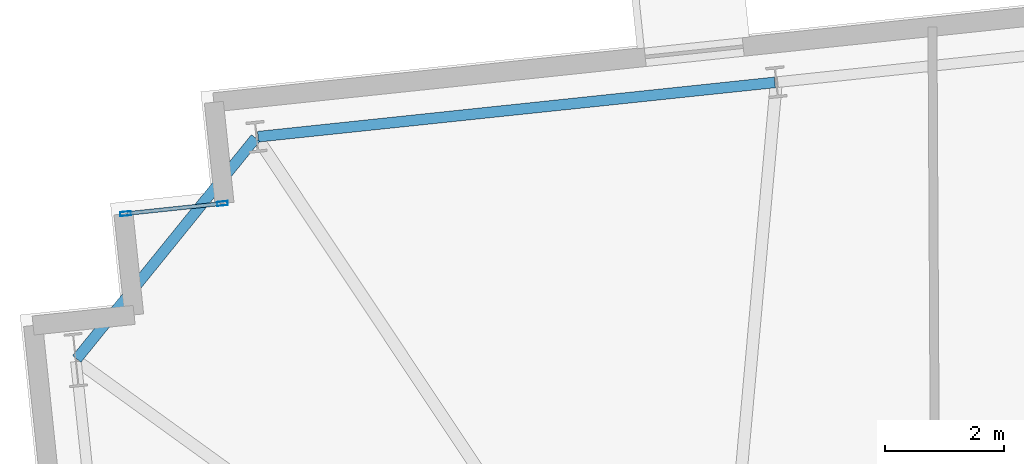
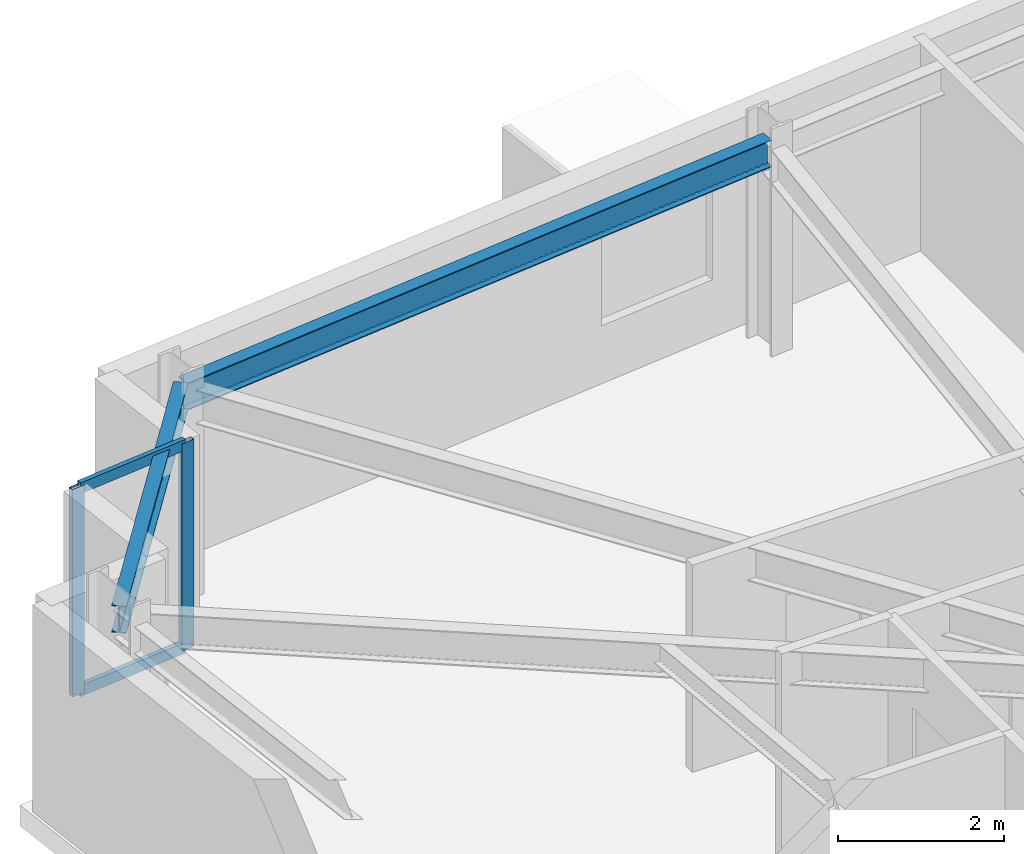
# One storey, part 12 of 22: 4 members, 2 beams, 1 element without a shape of its own.
"""IFC4 building model written with IfcOpenShell, lengths in metres."""

from ifc_helpers import new_model, si_unit, direction, frame, origin, origin_2d, place, context, subcontext, project, spatial, hollow_rectangle, i_section, extrude, material, layer, layer_set, material_profile, profile_set, type_object, element, aggregate, save


model = new_model("IFC4")

# Units and contexts
model_context = context("Model", 3, precision=1e-05, world=origin(), true_north=direction((0.0, 1.0)))
body_context = subcontext(model_context, "Body", "Model", "MODEL_VIEW")
ifc_project = project(units=[si_unit("LENGTHUNIT", "METRE"), si_unit("AREAUNIT", "SQUARE_METRE"), si_unit("VOLUMEUNIT", "CUBIC_METRE"), si_unit("PLANEANGLEUNIT", "RADIAN"), si_unit("MASSUNIT", "GRAM", prefix="KILO")], contexts=[model_context])

# Site, building, storey
site_placement = place(None, origin())
site = spatial("IfcSite", under=ifc_project, at=site_placement, CompositionType="ELEMENT")
building_placement = place(site_placement, origin())
building = spatial("IfcBuilding", under=site, at=building_placement, Name="Qobustan Lattice House", CompositionType="ELEMENT")
storey_placement = place(building_placement, frame((0.0, 0.0, 99.10009765625)))
storey = spatial("IfcBuildingStorey", under=building, at=storey_placement, Name="L27", CompositionType="ELEMENT", Elevation=99.10009765625)

# Beams
ifc_material_1 = material(Name="Steel S355", Category="steel")
ifc_material_profile_1 = material_profile(ifc_material_1, i_section(OverallWidth=0.179931640625, OverallDepth=0.39990234375, WebThickness=0.008544921875, FlangeThickness=0.013427734375, FilletRadius=0.02099609375, at=origin_2d()), Name="IPE400")
ifc_profile_set_1 = profile_set([ifc_material_profile_1], Name="Steel S355")
beam_type = type_object("IfcBeamType", Name="BM-SPD-IPE400", PredefinedType="SPANDREL", material=ifc_profile_set_1)
beam_1_placement = place(storey_placement, frame((-17.7158203125, 17.919189453125, 2.844970703125), z_axis=(-0.994521279781, -0.10453432002, 0.0), x_axis=(0.10453432002, -0.994521279781, 0.0)))
element("IfcBeam", 1, at=beam_1_placement, inside=storey, type_object=beam_type, Name="L27 perimeter spandrel N6-N7", PredefinedType="SPANDREL", context=body_context, shape_type="SweptSolid", body=[
    extrude(i_section(OverallWidth=0.179931640625, OverallDepth=0.39990234375, WebThickness=0.008544921875, FlangeThickness=0.013427734375, FilletRadius=0.02099609375, at=origin_2d()), origin(), (0.0, 0.0, 1.0), 8.69970703125),
])
beam_2_placement = place(storey_placement, frame((-26.40869140625, 16.98779296875, 2.844970703125), z_axis=(-0.629326627121, -0.777140911545, 0.0), x_axis=(0.777140911545, -0.629326627121, 0.0)))
element("IfcBeam", 2, at=beam_2_placement, inside=storey, type_object=beam_type, Name="L27 perimeter spandrel N7-W1", PredefinedType="SPANDREL", context=body_context, shape_type="SweptSolid", body=[
    extrude(i_section(OverallWidth=0.179931640625, OverallDepth=0.39990234375, WebThickness=0.008544921875, FlangeThickness=0.013427734375, FilletRadius=0.02099609375, at=origin_2d()), origin(), (0.0, 0.0, 1.0), 4.758544921875),
])

# Curtain wall, members
ifc_material_2 = material(Name="Anodised aluminium and low-E glazing", Category="aluminium")
ifc_layer = layer(ifc_material_2, 0.219970703125)
ifc_layer_set = layer_set([ifc_layer], Name="Anodised aluminium and low-E glazing")
curtain_wall_type = type_object("IfcCurtainWallType", Name="CW-FAC-01", PredefinedType="USERDEFINED", material=ifc_layer_set)
curtain_wall_placement = place(storey_placement, origin())
curtain_wall = element("IfcCurtainWall", 3, at=curtain_wall_placement, inside=storey, type_object=curtain_wall_type, Name="L27 serrated corner faceted glazing 8", ObjectType="CURTAIN WALL", PredefinedType="USERDEFINED")
ifc_material_3 = material(Name="Anodised aluminium EN AW-6063 T6", Category="aluminium")
ifc_material_profile_2 = material_profile(ifc_material_3, hollow_rectangle(XDim=0.070068359375, YDim=0.179931640625, WallThickness=0.00439453125, at=origin_2d()), Name="CWM-180x70")
ifc_profile_set_2 = profile_set([ifc_material_profile_2], Name="Anodised aluminium EN AW-6063 T6")
member_type_1 = type_object("IfcMemberType", Name="CWM-STD-180", PredefinedType="MULLION", material=ifc_profile_set_2)
member_1_placement = place(storey_placement, frame((-28.58544921875, 15.720947265625, 0.0), z_axis=(0.0, 0.0, 1.0), x_axis=(-0.104528620025, 0.994521878892, 0.0)))
member_1 = element("IfcMember", 4, at=member_1_placement, type_object=member_type_1, Name="CW-F1 mullion 1", PredefinedType="MULLION", context=body_context, shape_type="SweptSolid", body=[
    extrude(hollow_rectangle(XDim=0.070068359375, YDim=0.179931640625, WallThickness=0.00439453125, at=origin_2d()), origin(), (0.0, 0.0, 1.0), 3.044921875),
])
member_2_placement = place(storey_placement, frame((-26.96435546875, 15.891357421875, 0.0), z_axis=(0.0, 0.0, 1.0), x_axis=(-0.104528620025, 0.994521878892, 0.0)))
member_2 = element("IfcMember", 5, at=member_2_placement, type_object=member_type_1, Name="CW-F1 mullion 2", PredefinedType="MULLION", context=body_context, shape_type="SweptSolid", body=[
    extrude(hollow_rectangle(XDim=0.070068359375, YDim=0.179931640625, WallThickness=0.00439453125, at=origin_2d()), origin(), (0.0, 0.0, 1.0), 3.044921875),
])
ifc_material_4 = material(Name="Anodised aluminium EN AW-6063 T6", Category="aluminium")
ifc_material_profile_3 = material_profile(ifc_material_4, hollow_rectangle(XDim=0.06494140625, YDim=0.159912109375, WallThickness=0.00390625, at=origin_2d()), Name="CWT-160x65")
ifc_profile_set_3 = profile_set([ifc_material_profile_3], Name="Anodised aluminium EN AW-6063 T6")
member_type_2 = type_object("IfcMemberType", Name="CWT-HOR-160", PredefinedType="USERDEFINED", material=ifc_profile_set_3)
member_3_placement = place(storey_placement, frame((-28.55078125, 15.724609375, 0.032470703125), z_axis=(0.994520877159, 0.104538150424, 0.0), x_axis=(-0.104538150424, 0.994520877159, 0.0)))
member_3 = element("IfcMember", 6, at=member_3_placement, type_object=member_type_2, Name="CW-F1 transom 1.1", ObjectType="TRANSOM", PredefinedType="USERDEFINED", context=body_context, shape_type="SweptSolid", body=[
    extrude(hollow_rectangle(XDim=0.06494140625, YDim=0.159912109375, WallThickness=0.00390625, at=origin_2d()), origin(), (0.0, 0.0, 1.0), 1.56005859375),
])
member_4_placement = place(storey_placement, frame((-28.55078125, 15.724609375, 3.012451171875), z_axis=(0.994520877159, 0.104538150424, 0.0), x_axis=(-0.104538150424, 0.994520877159, 0.0)))
member_4 = element("IfcMember", 7, at=member_4_placement, type_object=member_type_2, Name="CW-F1 transom 1.2", ObjectType="TRANSOM", PredefinedType="USERDEFINED", context=body_context, shape_type="SweptSolid", body=[
    extrude(hollow_rectangle(XDim=0.06494140625, YDim=0.159912109375, WallThickness=0.00390625, at=origin_2d()), origin(), (0.0, 0.0, 1.0), 1.56005859375),
])
aggregate(curtain_wall, [member_1, member_2, member_3, member_4])

save(model, "model.ifc")
